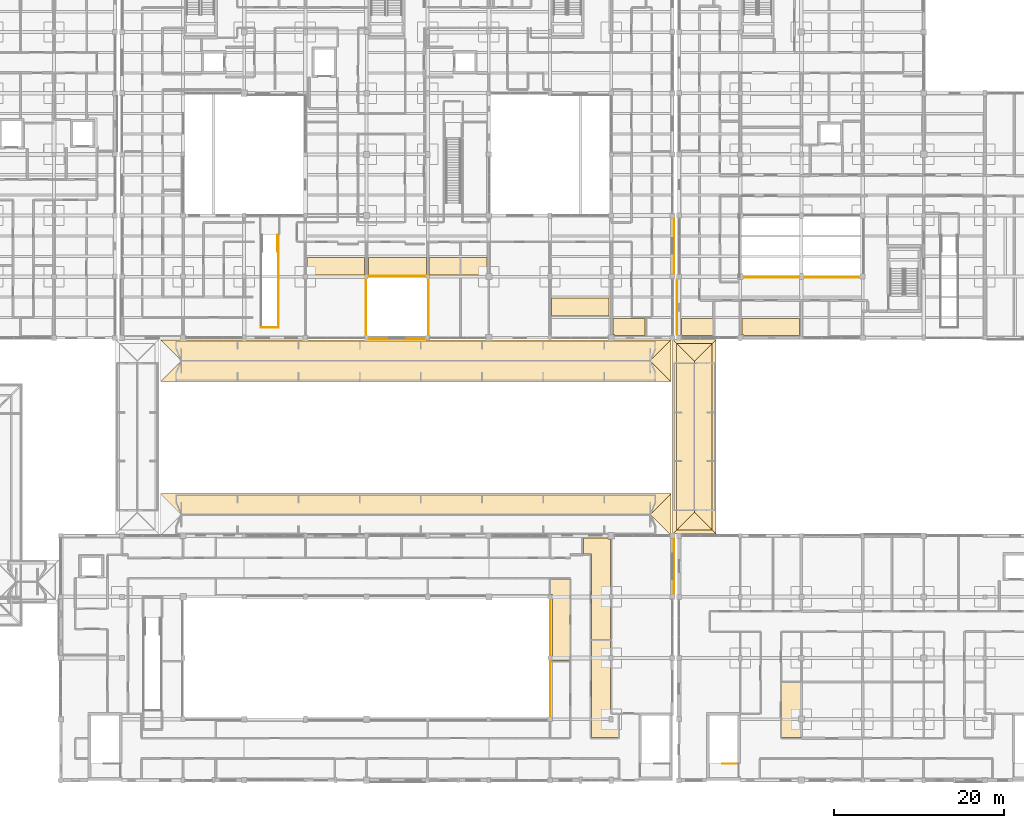
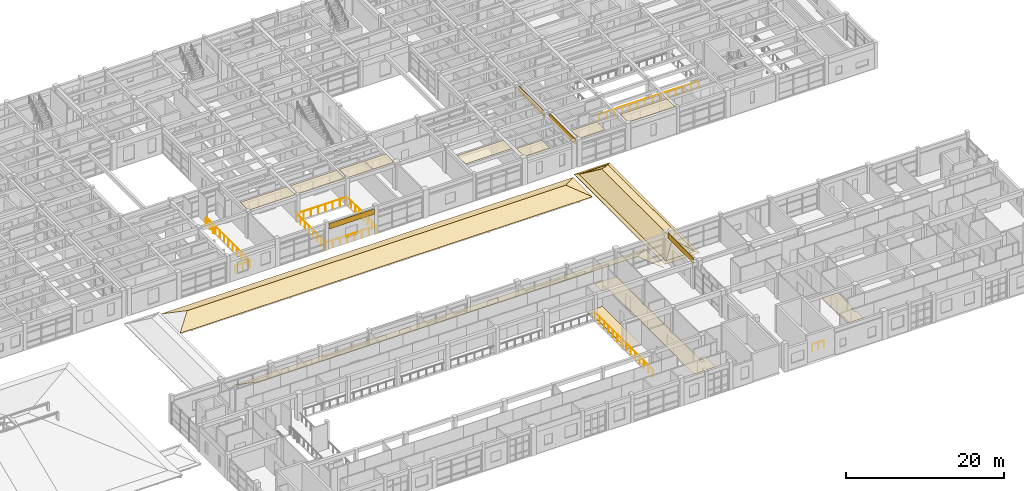
# One storey, part 102 of 110: 29 coverings, 10 railings.
"""IFC4 building model written with IfcOpenShell, lengths in metres."""

from ifc_helpers import new_model, si_unit, direction, frame, origin, origin_2d, place, context, subcontext, project, spatial, polyline, rectangle, circle, outline, extrude, material, layer, layer_set, type_object, element, save


model = new_model("IFC4")

# Units and contexts
model_context = context("Model", 3, precision=1e-05, world=origin(), true_north=direction((0.0, 1.0)))
body_context = subcontext(model_context, "Body", "Model", "MODEL_VIEW")
ifc_project = project(units=[si_unit("LENGTHUNIT", "METRE"), si_unit("AREAUNIT", "SQUARE_METRE"), si_unit("VOLUMEUNIT", "CUBIC_METRE"), si_unit("PLANEANGLEUNIT", "RADIAN"), si_unit("MASSUNIT", "GRAM", prefix="KILO")], contexts=[model_context])

# Site, building, storey
site_placement = place(None, origin())
site = spatial("IfcSite", under=ifc_project, at=site_placement, CompositionType="ELEMENT")
building_placement = place(site_placement, origin())
building = spatial("IfcBuilding", under=site, at=building_placement, Name="Steenspoor Specialist Clinic", CompositionType="ELEMENT")
storey_placement = place(building_placement, frame((0.0, 0.0, 4.800048828125)))
storey = spatial("IfcBuildingStorey", under=building, at=storey_placement, Name="L01", CompositionType="ELEMENT", Elevation=4.800048828125)

# Coverings
ifc_material_1 = material(Name="Washable acoustic mineral ceiling board", Category="gypsum")
ifc_layer_1 = layer(ifc_material_1, 0.02490234375)
ifc_layer_set_1 = layer_set([ifc_layer_1], Name="Washable acoustic mineral ceiling board")
covering_type_1 = type_object("IfcCoveringType", Name="COV-CEIL-ACOUSTIC", PredefinedType="CEILING", material=ifc_layer_set_1)
covering_1_placement = place(storey_placement, frame((0.0, 0.0, 3.925048828125)))
element("IfcCovering", 1, at=covering_1_placement, inside=storey, type_object=covering_type_1, Name="Acoustic Clinical Ceiling 098", PredefinedType="CEILING", context=body_context, shape_type="SweptSolid", body=[
    extrude(outline(polyline([(80.93505859375, 72.614990234375), (80.93505859375, 72.570068359375), (74.2900390625, 72.570068359375), (74.2900390625, 72.639892578125), (74.169921875, 72.639892578125), (74.169921875, 74.610107421875), (80.97998046875, 74.610107421875), (80.97998046875, 72.6201171875), (80.985107421875, 72.6201171875), (80.985107421875, 72.614990234375), (80.93505859375, 72.614990234375)])), origin(), (0.0, 0.0, 1.0), 0.02490234375),
])
covering_2_placement = place(storey_placement, frame((0.0, 0.0, 3.925048828125)))
element("IfcCovering", 2, at=covering_2_placement, inside=storey, type_object=covering_type_1, Name="Acoustic Clinical Ceiling 099", PredefinedType="CEILING", context=body_context, shape_type="SweptSolid", body=[
    extrude(outline(polyline([(88.6650390625, 72.614990234375), (88.570068359375, 72.614990234375), (88.570068359375, 74.610107421875), (92.18505859375, 74.610107421875), (92.18505859375, 72.52001953125), (88.6650390625, 72.52001953125), (88.6650390625, 72.614990234375)])), origin(), (0.0, 0.0, 1.0), 0.02490234375),
])
covering_3_placement = place(storey_placement, frame((0.0, 0.0, 3.925048828125)))
element("IfcCovering", 3, at=covering_3_placement, inside=storey, type_object=covering_type_1, Name="Acoustic Clinical Ceiling 100", PredefinedType="CEILING", context=body_context, shape_type="SweptSolid", body=[
    extrude(outline(polyline([(92.31494140625, 74.610107421875), (95.3798828125, 74.610107421875), (95.3798828125, 72.715087890625), (95.235107421875, 72.715087890625), (95.235107421875, 72.52001953125), (92.31494140625, 72.52001953125), (92.31494140625, 74.610107421875)])), origin(), (0.0, 0.0, 1.0), 0.02490234375),
])
covering_4_placement = place(storey_placement, frame((0.0, 0.0, 3.925048828125)))
element("IfcCovering", 4, at=covering_4_placement, inside=storey, type_object=covering_type_1, Name="Acoustic Clinical Ceiling 101", PredefinedType="CEILING", context=body_context, shape_type="SweptSolid", body=[
    extrude(outline(polyline([(102.9951171875, 69.81005859375), (109.7548828125, 69.81005859375), (109.7548828125, 67.699951171875), (102.9951171875, 67.699951171875), (102.9951171875, 69.81005859375)])), origin(), (0.0, 0.0, 1.0), 0.02490234375),
])
covering_5_placement = place(storey_placement, frame((0.0, 0.0, 3.925048828125)))
element("IfcCovering", 5, at=covering_5_placement, inside=storey, type_object=covering_type_1, Name="Acoustic Clinical Ceiling 102", PredefinedType="CEILING", context=body_context, shape_type="SweptSolid", body=[
    extrude(outline(polyline([(110.364990234375, 65.409912109375), (110.364990234375, 65.514892578125), (110.2451171875, 65.514892578125), (110.2451171875, 67.409912109375), (113.985107421875, 67.409912109375), (113.985107421875, 65.409912109375), (110.364990234375, 65.409912109375)])), origin(), (0.0, 0.0, 1.0), 0.02490234375),
])
covering_6_placement = place(storey_placement, frame((0.0, 0.0, 3.925048828125)))
element("IfcCovering", 6, at=covering_6_placement, inside=storey, type_object=covering_type_1, Name="Acoustic Clinical Ceiling 103", PredefinedType="CEILING", context=body_context, shape_type="SweptSolid", body=[
    extrude(outline(polyline([(81.419921875, 72.635009765625), (81.419921875, 74.60009765625), (88.22998046875, 74.60009765625), (88.22998046875, 72.635009765625), (81.419921875, 72.635009765625)])), origin(), (0.0, 0.0, 1.0), 0.02490234375),
])
covering_7_placement = place(storey_placement, frame((0.0, 0.0, 3.925048828125)))
element("IfcCovering", 7, at=covering_7_placement, inside=storey, type_object=covering_type_1, Name="Acoustic Clinical Ceiling 122", PredefinedType="CEILING", context=body_context, shape_type="SweptSolid", body=[
    extrude(outline(polyline([(118.260009765625, 67.409912109375), (122.014892578125, 67.409912109375), (122.014892578125, 65.409912109375), (118.31494140625, 65.409912109375), (118.31494140625, 65.465087890625), (118.260009765625, 65.465087890625), (118.260009765625, 67.409912109375)])), origin(), (0.0, 0.0, 1.0), 0.02490234375),
])
covering_8_placement = place(storey_placement, frame((0.0, 0.0, 3.925048828125)))
element("IfcCovering", 8, at=covering_8_placement, inside=storey, type_object=covering_type_1, Name="Acoustic Clinical Ceiling 123", PredefinedType="CEILING", context=body_context, shape_type="SweptSolid", body=[
    extrude(outline(polyline([(125.56494140625, 65.409912109375), (125.56494140625, 65.514892578125), (125.39501953125, 65.514892578125), (125.39501953125, 67.39990234375), (132.179931640625, 67.39990234375), (132.179931640625, 65.409912109375), (125.56494140625, 65.409912109375)])), origin(), (0.0, 0.0, 1.0), 0.02490234375),
])
ifc_material_2 = material(Name="Glazed ceramic relief spandrel cladding", Category="masonry")
ifc_layer_2 = layer(ifc_material_2, 0.034912109375)
ifc_layer_set_2 = layer_set([ifc_layer_2], Name="Glazed ceramic relief spandrel cladding")
covering_type_2 = type_object("IfcCoveringType", Name="COV-CLAD-CERAMIC", PredefinedType="CLADDING", material=ifc_layer_set_2)
covering_9_placement = place(storey_placement, frame((117.39990234375, 38.25, 3.36474609375), z_axis=(0.0, 0.0, 1.0), x_axis=(0.0, -1.0, 0.0)))
element("IfcCovering", 9, at=covering_9_placement, inside=storey, type_object=covering_type_2, Name="Spandrel Cladding 9", PredefinedType="CLADDING", context=body_context, shape_type="SweptSolid", body=[
    extrude(rectangle(XDim=6.47998046875, YDim=0.0400390625, at=origin_2d()), origin(), (0.0, 0.0, 1.0), 0.840087890625),
])
covering_10_placement = place(storey_placement, frame((84.78759765625, 64.919921875, 3.11474609375), z_axis=(0.0, 0.0, 1.0), x_axis=(-1.0, 0.0, 0.0)))
element("IfcCovering", 10, at=covering_10_placement, inside=storey, type_object=covering_type_2, Name="Spandrel Cladding 31", PredefinedType="CLADDING", context=body_context, shape_type="SweptSolid", body=[
    extrude(rectangle(XDim=6.60498046875, YDim=0.0400390625, at=origin_2d()), origin(), (0.0, 0.0, 1.0), 0.840087890625),
])
for number, where, z_axis, x_axis, name in (
    (11, (117.39990234375, 75.949951171875, 3.11474609375), (0.0, 0.0, 1.0), (0.0, -1.0, 0.0), "Spandrel Cladding 37"),
    (12, (117.77001953125, 68.75, 3.11474609375), (0.0, 0.0, 1.0), (0.0, 1.0, 0.0), "Spandrel Cladding 85"),
):
    element("IfcCovering", number, at=place(storey_placement, frame(where, z_axis=z_axis, x_axis=x_axis)), inside=storey, type_object=covering_type_2, Name=name, PredefinedType="CLADDING", context=body_context, shape_type="SweptSolid", body=[
        extrude(rectangle(XDim=6.47998046875, YDim=0.0400390625, at=origin_2d()), origin(), (0.0, 0.0, 1.0), 0.840087890625),
    ])
ifc_material_3 = material(Name="Seamless clinical vinyl and terrazzo flooring", Category="plastic")
ifc_layer_3 = layer(ifc_material_3, 0.02001953125)
ifc_layer_set_3 = layer_set([ifc_layer_3], Name="Seamless clinical vinyl and terrazzo flooring")
covering_type_3 = type_object("IfcCoveringType", Name="COV-FLOOR-VINYL", PredefinedType="FLOORING", material=ifc_layer_set_3)
covering_11_placement = place(storey_placement, origin())
element("IfcCovering", 13, at=covering_11_placement, inside=storey, type_object=covering_type_3, Name="Clinical Vinyl Flooring 142", PredefinedType="FLOORING", context=body_context, shape_type="SweptSolid", body=[
    extrude(outline(polyline([(109.93505859375, 29.4951171875), (109.93505859375, 27.764892578125), (109.760009765625, 27.764892578125), (109.760009765625, 27.135009765625), (109.93505859375, 27.135009765625), (109.93505859375, 20.8349609375), (110.8349609375, 20.8349609375), (110.8349609375, 18.074951171875), (107.6650390625, 18.074951171875), (107.6650390625, 29.4951171875), (109.93505859375, 29.4951171875)]), holes=[polyline([(110.239990234375, 20.590087890625), (109.760009765625, 20.590087890625), (109.760009765625, 19.909912109375), (110.239990234375, 19.909912109375), (110.239990234375, 20.590087890625)])]), origin(), (0.0, 0.0, 1.0), 0.02001953125),
])
covering_12_placement = place(storey_placement, origin())
element("IfcCovering", 14, at=covering_12_placement, inside=storey, type_object=covering_type_3, Name="Clinical Vinyl Flooring 143", PredefinedType="FLOORING", context=body_context, shape_type="SweptSolid", body=[
    extrude(outline(polyline([(105.135009765625, 27.14501953125), (103.06494140625, 27.14501953125), (103.06494140625, 27.18505859375), (103.06494140625, 27.715087890625), (103.06494140625, 34.9150390625), (102.864990234375, 34.9150390625), (102.864990234375, 36.784912109375), (105.135009765625, 36.784912109375), (105.135009765625, 27.14501953125)])), origin(), (0.0, 0.0, 1.0), 0.02001953125),
])
covering_13_placement = place(storey_placement, origin())
element("IfcCovering", 15, at=covering_13_placement, inside=storey, type_object=covering_type_3, Name="Clinical Vinyl Flooring 145", PredefinedType="FLOORING", context=body_context, shape_type="SweptSolid", body=[
    extrude(outline(polyline([(107.6650390625, 29.625), (107.6650390625, 39.675048828125), (106.715087890625, 39.675048828125), (106.715087890625, 41.590087890625), (109.610107421875, 41.590087890625), (109.610107421875, 41.4599609375), (109.93505859375, 41.4599609375), (109.93505859375, 34.93994140625), (109.784912109375, 34.93994140625), (109.784912109375, 34.360107421875), (109.93505859375, 34.360107421875), (109.93505859375, 29.625), (107.6650390625, 29.625)])), origin(), (0.0, 0.0, 1.0), 0.02001953125),
])
covering_14_placement = place(storey_placement, origin())
element("IfcCovering", 16, at=covering_14_placement, inside=storey, type_object=covering_type_3, Name="Clinical Vinyl Flooring 156", PredefinedType="FLOORING", context=body_context, shape_type="SweptSolid", body=[
    extrude(outline(polyline([(130.06494140625, 18.074951171875), (130.06494140625, 24.56494140625), (132.3349609375, 24.56494140625), (132.3349609375, 20.614990234375), (132.034912109375, 20.614990234375), (132.034912109375, 19.885009765625), (132.3349609375, 19.885009765625), (132.3349609375, 18.074951171875), (130.06494140625, 18.074951171875)])), origin(), (0.0, 0.0, 1.0), 0.02001953125),
])
ifc_material_4 = material(Name="Extruded terracotta clay roof tile", Category="masonry")
ifc_layer_4 = layer(ifc_material_4, 0.044921875)
ifc_layer_set_4 = layer_set([ifc_layer_4], Name="Extruded terracotta clay roof tile")
covering_type_4 = type_object("IfcCoveringType", Name="COV-ROOF-TILE", PredefinedType="ROOFING", material=ifc_layer_set_4)
covering_15_placement = place(storey_placement, frame((117.25, 42.050048828125, -0.9521484375), z_axis=(0.0, -0.242164000082, 0.970235330765), x_axis=(1.0, 0.0, 0.0)))
element("IfcCovering", 17, at=covering_15_placement, inside=storey, type_object=covering_type_4, Name="Clay Tile Roofing WK2 SKS", PredefinedType="ROOFING", context=body_context, shape_type="SweptSolid", body=[
    extrude(outline(polyline([(0.0, 0.0), (5.10009765625, 0.0), (4.64990234375, 0.46375467642511), (0.449951171875, 0.46375467642511), (0.0, 0.0)])), origin(), (0.0, 0.0, -1.0), 0.044921875),
])
covering_16_placement = place(storey_placement, frame((122.35009765625, 64.949951171875, -0.9521484375), z_axis=(0.0, 0.242164000082, 0.970235330765), x_axis=(-1.0, 0.0, 0.0)))
element("IfcCovering", 18, at=covering_16_placement, inside=storey, type_object=covering_type_4, Name="Clay Tile Roofing WK2 SKN", PredefinedType="ROOFING", context=body_context, shape_type="SweptSolid", body=[
    extrude(outline(polyline([(0.0, 0.0), (5.10009765625, 0.0), (4.650146484375, 0.46375467642511), (0.4501953125, 0.46375467642511), (0.0, 0.0)])), origin(), (0.0, 0.0, -1.0), 0.044921875),
])
covering_17_placement = place(storey_placement, frame((117.25, 64.949951171875, -0.9521484375), z_axis=(-0.242164000082, 0.0, 0.970235330765), x_axis=(0.0, -1.0, 0.0)))
element("IfcCovering", 19, at=covering_17_placement, inside=storey, type_object=covering_type_4, Name="Clay Tile Roofing WK2 SKW", PredefinedType="ROOFING", context=body_context, shape_type="SweptSolid", body=[
    extrude(outline(polyline([(0.0, 0.0), (22.89990234375, 0.0), (22.449951171875, 0.46375467642511), (0.449951171875, 0.46375467642511), (0.0, 0.0)])), origin(), (0.0, 0.0, -1.0), 0.044921875),
])
covering_18_placement = place(storey_placement, frame((122.35009765625, 42.050048828125, -0.9521484375), z_axis=(0.242040370173, 0.0, 0.970266179564), x_axis=(0.0, 1.0, 0.0)))
element("IfcCovering", 20, at=covering_18_placement, inside=storey, type_object=covering_type_4, Name="Clay Tile Roofing WK2 SKE", PredefinedType="ROOFING", context=body_context, shape_type="SweptSolid", body=[
    extrude(outline(polyline([(0.0, 0.0), (22.89990234375, 0.0), (22.449951171875, 0.463991554051844), (0.449951171875, 0.463991554051844), (0.0, 0.0)])), origin(), (0.0, 0.0, -1.0), 0.044921875),
])
covering_19_placement = place(storey_placement, frame((117.699951171875, 64.5, -0.83984375), z_axis=(-0.537294141772, 0.0, 0.84339492838), x_axis=(0.0, -1.0, 0.0)))
element("IfcCovering", 21, at=covering_19_placement, inside=storey, type_object=covering_type_4, Name="Clay Tile Roofing WK2 W", PredefinedType="ROOFING", context=body_context, shape_type="SweptSolid", body=[
    extrude(outline(polyline([(0.0, 0.0), (22.0, 0.0), (19.89990234375, 2.490052507528633), (2.10009765625, 2.490052507528633), (0.0, 0.0)])), origin(), (0.0, 0.0, -1.0), 0.044921875),
])
covering_20_placement = place(storey_placement, frame((121.89990234375, 42.5, -0.83984375), z_axis=(0.537338574529, 0.0, 0.843366620351), x_axis=(0.0, 1.0, 0.0)))
element("IfcCovering", 22, at=covering_20_placement, inside=storey, type_object=covering_type_4, Name="Clay Tile Roofing WK2 E", PredefinedType="ROOFING", context=body_context, shape_type="SweptSolid", body=[
    extrude(outline(polyline([(0.0, 0.0), (22.0, 0.0), (19.89990234375, 2.4898466040191236), (2.10009765625, 2.4898466040191236), (0.0, 0.0)])), origin(), (0.0, 0.0, -1.0), 0.044921875),
])
covering_21_placement = place(storey_placement, frame((117.699951171875, 42.5, -0.83984375), z_axis=(0.0, -0.537294141772, 0.84339492838), x_axis=(1.0, 0.0, 0.0)))
element("IfcCovering", 23, at=covering_21_placement, inside=storey, type_object=covering_type_4, Name="Clay Tile Roofing WK2 S", PredefinedType="ROOFING", context=body_context, shape_type="SweptSolid", body=[
    extrude(outline(polyline([(0.0, 0.0), (4.199951171875, 0.0), (2.10009765625, 2.490052507528633), (0.0, 0.0)])), origin(), (0.0, 0.0, -1.0), 0.044921875),
])
covering_22_placement = place(storey_placement, frame((121.89990234375, 64.5, -0.83984375), z_axis=(0.0, 0.537294141772, 0.84339492838), x_axis=(-1.0, 0.0, 0.0)))
element("IfcCovering", 24, at=covering_22_placement, inside=storey, type_object=covering_type_4, Name="Clay Tile Roofing WK2 N", PredefinedType="ROOFING", context=body_context, shape_type="SweptSolid", body=[
    extrude(outline(polyline([(0.0, 0.0), (4.199951171875, 0.0), (2.099853515625, 2.490052507528633), (0.0, 0.0)])), origin(), (0.0, 0.0, -1.0), 0.044921875),
])
for number, where, z_axis, x_axis, name in (
    (25, (56.949951171875, 60.0, -1.35205078125), (0.0, -0.424884507655, 0.905247565672), (1.0, 0.0, 0.0), "Clay Tile Roofing WK4 S"),
    (26, (117.050048828125, 64.89990234375, -1.35205078125), (0.0, 0.424884507655, 0.905247565672), (-1.0, 0.0, 0.0), "Clay Tile Roofing WK4 N"),
):
    element("IfcCovering", number, at=place(storey_placement, frame(where, z_axis=z_axis, x_axis=x_axis)), inside=storey, type_object=covering_type_4, Name=name, PredefinedType="ROOFING", context=body_context, shape_type="SweptSolid", body=[
        extrude(outline(polyline([(0.0, 0.0), (60.10009765625, 0.0), (57.650146484375, 2.7063880255302317), (2.449951171875, 2.7063880255302317), (0.0, 0.0)])), origin(), (0.0, 0.0, -1.0), 0.044921875),
    ])
covering_23_placement = place(storey_placement, frame((117.050048828125, 60.0, -1.35205078125), z_axis=(0.424884507655, 0.0, 0.905247565672), x_axis=(0.0, 1.0, 0.0)))
element("IfcCovering", 27, at=covering_23_placement, inside=storey, type_object=covering_type_4, Name="Clay Tile Roofing WK4 E", PredefinedType="ROOFING", context=body_context, shape_type="SweptSolid", body=[
    extrude(outline(polyline([(0.0, 0.0), (4.89990234375, 0.0), (2.449951171875, 2.7063880255302326), (0.0, 0.0)])), origin(), (0.0, 0.0, -1.0), 0.044921875),
])
covering_24_placement = place(storey_placement, frame((117.050048828125, 46.800048828125, -1.35205078125), z_axis=(0.0, 0.424884507655, 0.905247565672), x_axis=(-1.0, 0.0, 0.0)))
element("IfcCovering", 28, at=covering_24_placement, inside=storey, type_object=covering_type_4, Name="Clay Tile Roofing WK5 N", PredefinedType="ROOFING", context=body_context, shape_type="SweptSolid", body=[
    extrude(outline(polyline([(0.0, 0.0), (60.10009765625, 0.0), (57.650146484375, 2.7063880255302317), (2.449951171875, 2.7063880255302317), (0.0, 0.0)])), origin(), (0.0, 0.0, -1.0), 0.044921875),
])
covering_25_placement = place(storey_placement, frame((117.050048828125, 41.89990234375, -1.35205078125), z_axis=(0.424884507655, 0.0, 0.905247565672), x_axis=(0.0, 1.0, 0.0)))
element("IfcCovering", 29, at=covering_25_placement, inside=storey, type_object=covering_type_4, Name="Clay Tile Roofing WK5 E", PredefinedType="ROOFING", context=body_context, shape_type="SweptSolid", body=[
    extrude(outline(polyline([(0.0, 0.0), (4.900146484375, 0.0), (2.4501953125, 2.706388025530232), (0.0, 0.0)])), origin(), (0.0, 0.0, -1.0), 0.044921875),
])

# Railings
ifc_material_5 = material(Name="Painted architectural steel balustrade", Category="steel")
railing_type = type_object("IfcRailingType", Name="RAIL-GUARD-1100", PredefinedType="GUARDRAIL", material=ifc_material_5)
railing_1_placement = place(storey_placement, frame((124.85009765625, 15.0, 0.0)))
element("IfcRailing", 30, at=railing_1_placement, inside=storey, type_object=railing_type, Name="L01 ST-V2A top well guard 1", PredefinedType="GUARDRAIL", context=body_context, shape_type="SweptSolid", body=[
    extrude(circle(Radius=0.02392578125, at=origin_2d()), frame((0.0, 0.0, 1.076171875), z_axis=(-1.0, 0.0, 0.0), x_axis=(0.0, -1.0, 0.0)), (0.0, 0.0, 1.0), 1.75),
    extrude(circle(Radius=0.02099609375, at=origin_2d()), origin(), (0.0, 0.0, 1.0), 1.052001953125),
    extrude(circle(Radius=0.02099609375, at=origin_2d()), frame((-0.875, 0.0, 0.0)), (0.0, 0.0, 1.0), 1.052001953125),
    extrude(circle(Radius=0.02099609375, at=origin_2d()), frame((-1.75, 0.0, 0.0)), (0.0, 0.0, 1.0), 1.052001953125),
])
railing_2_placement = place(storey_placement, frame((68.7548828125, 66.3798828125, 0.0)))
element("IfcRailing", 31, at=railing_2_placement, inside=storey, type_object=railing_type, Name="ST-F02 Well Guard S", PredefinedType="GUARDRAIL", context=body_context, shape_type="SweptSolid", body=[
    extrude(circle(Radius=0.02392578125, at=origin_2d()), frame((0.0, 0.0, 1.09619140625), z_axis=(1.0, 0.0, 0.0), x_axis=(0.0, 1.0, 0.0)), (0.0, 0.0, 1.0), 2.090087890625),
    extrude(circle(Radius=0.02099609375, at=origin_2d()), origin(), (0.0, 0.0, 1.0), 1.072021484375),
    extrude(circle(Radius=0.02099609375, at=origin_2d()), frame((1.044921875, 0.0, 0.0)), (0.0, 0.0, 1.0), 1.072021484375),
    extrude(circle(Radius=0.02099609375, at=origin_2d()), frame((2.090087890625, 0.0, 0.0)), (0.0, 0.0, 1.0), 1.072021484375),
])
railing_3_placement = place(storey_placement, frame((70.844970703125, 66.3798828125, 0.0)))
element("IfcRailing", 32, at=railing_3_placement, inside=storey, type_object=railing_type, Name="ST-F02 Well Guard E", PredefinedType="GUARDRAIL", context=body_context, shape_type="SweptSolid", body=[
    extrude(circle(Radius=0.02392578125, at=origin_2d()), frame((0.0, 0.0, 1.09619140625), z_axis=(0.0, 1.0, 0.0), x_axis=(-1.0, 0.0, 0.0)), (0.0, 0.0, 1.0), 10.880126953125),
    extrude(circle(Radius=0.02099609375, at=origin_2d()), origin(), (0.0, 0.0, 1.0), 1.072021484375),
    extrude(circle(Radius=0.02099609375, at=origin_2d()), frame((0.0, 1.087890625, 0.0)), (0.0, 0.0, 1.0), 1.072021484375),
    extrude(circle(Radius=0.02099609375, at=origin_2d()), frame((0.0, 2.176025390625, 0.0)), (0.0, 0.0, 1.0), 1.072021484375),
    extrude(circle(Radius=0.02099609375, at=origin_2d()), frame((0.0, 3.26416015625, 0.0)), (0.0, 0.0, 1.0), 1.072021484375),
    extrude(circle(Radius=0.02099609375, at=origin_2d()), frame((0.0, 4.35205078125, 0.0)), (0.0, 0.0, 1.0), 1.072021484375),
    extrude(circle(Radius=0.02099609375, at=origin_2d()), frame((0.0, 5.43994140625, 0.0)), (0.0, 0.0, 1.0), 1.072021484375),
    extrude(circle(Radius=0.02099609375, at=origin_2d()), frame((0.0, 6.528076171875, 0.0)), (0.0, 0.0, 1.0), 1.072021484375),
    extrude(circle(Radius=0.02099609375, at=origin_2d()), frame((0.0, 7.615966796875, 0.0)), (0.0, 0.0, 1.0), 1.072021484375),
    extrude(circle(Radius=0.02099609375, at=origin_2d()), frame((0.0, 8.7041015625, 0.0)), (0.0, 0.0, 1.0), 1.072021484375),
    extrude(circle(Radius=0.02099609375, at=origin_2d()), frame((0.0, 9.7919921875, 0.0)), (0.0, 0.0, 1.0), 1.072021484375),
    extrude(circle(Radius=0.02099609375, at=origin_2d()), frame((0.0, 10.880126953125, 0.0)), (0.0, 0.0, 1.0), 1.072021484375),
])
railing_4_placement = place(storey_placement, frame((70.68505859375, 75.300048828125, 0.0)))
element("IfcRailing", 33, at=railing_4_placement, inside=storey, type_object=railing_type, Name="ST-F02 Well Guard LE", PredefinedType="GUARDRAIL", context=body_context, shape_type="SweptSolid", body=[
    extrude(circle(Radius=0.02392578125, at=origin_2d()), frame((0.0, 0.0, 1.09619140625), z_axis=(0.0, 1.0, 0.0), x_axis=(-1.0, 0.0, 0.0)), (0.0, 0.0, 1.0), 1.9599609375),
    extrude(circle(Radius=0.02099609375, at=origin_2d()), origin(), (0.0, 0.0, 1.0), 1.072021484375),
    extrude(circle(Radius=0.02099609375, at=origin_2d()), frame((0.0, 0.97998046875, 0.0)), (0.0, 0.0, 1.0), 1.072021484375),
    extrude(circle(Radius=0.02099609375, at=origin_2d()), frame((0.0, 1.9599609375, 0.0)), (0.0, 0.0, 1.0), 1.072021484375),
])
railing_5_placement = place(storey_placement, frame((102.8798828125, 20.169921875, 0.0)))
element("IfcRailing", 34, at=railing_5_placement, inside=storey, type_object=railing_type, Name="Atrium Gallery Guard V1 L01 2", PredefinedType="GUARDRAIL", context=body_context, shape_type="SweptSolid", body=[
    extrude(circle(Radius=0.02392578125, at=origin_2d()), frame((0.0, 0.0, 1.09619140625), z_axis=(0.0, 1.0, 0.0), x_axis=(-1.0, 0.0, 0.0)), (0.0, 0.0, 1.0), 14.56005859375),
    extrude(circle(Radius=0.02099609375, at=origin_2d()), origin(), (0.0, 0.0, 1.0), 1.072021484375),
    extrude(circle(Radius=0.02099609375, at=origin_2d()), frame((0.0, 1.1201171875, 0.0)), (0.0, 0.0, 1.0), 1.072021484375),
    extrude(circle(Radius=0.02099609375, at=origin_2d()), frame((0.0, 2.239990234375, 0.0)), (0.0, 0.0, 1.0), 1.072021484375),
    extrude(circle(Radius=0.02099609375, at=origin_2d()), frame((0.0, 3.360107421875, 0.0)), (0.0, 0.0, 1.0), 1.072021484375),
    extrude(circle(Radius=0.02099609375, at=origin_2d()), frame((0.0, 4.47998046875, 0.0)), (0.0, 0.0, 1.0), 1.072021484375),
    extrude(circle(Radius=0.02099609375, at=origin_2d()), frame((0.0, 5.60009765625, 0.0)), (0.0, 0.0, 1.0), 1.072021484375),
    extrude(circle(Radius=0.02099609375, at=origin_2d()), frame((0.0, 6.719970703125, 0.0)), (0.0, 0.0, 1.0), 1.072021484375),
    extrude(circle(Radius=0.02099609375, at=origin_2d()), frame((0.0, 7.840087890625, 0.0)), (0.0, 0.0, 1.0), 1.072021484375),
    extrude(circle(Radius=0.02099609375, at=origin_2d()), frame((0.0, 8.9599609375, 0.0)), (0.0, 0.0, 1.0), 1.072021484375),
    extrude(circle(Radius=0.02099609375, at=origin_2d()), frame((0.0, 10.080078125, 0.0)), (0.0, 0.0, 1.0), 1.072021484375),
    extrude(circle(Radius=0.02099609375, at=origin_2d()), frame((0.0, 11.199951171875, 0.0)), (0.0, 0.0, 1.0), 1.072021484375),
    extrude(circle(Radius=0.02099609375, at=origin_2d()), frame((0.0, 12.320068359375, 0.0)), (0.0, 0.0, 1.0), 1.072021484375),
    extrude(circle(Radius=0.02099609375, at=origin_2d()), frame((0.0, 13.43994140625, 0.0)), (0.0, 0.0, 1.0), 1.072021484375),
    extrude(circle(Radius=0.02099609375, at=origin_2d()), frame((0.0, 14.56005859375, 0.0)), (0.0, 0.0, 1.0), 1.072021484375),
])
railing_6_placement = place(storey_placement, frame((81.1201171875, 65.070068359375, 0.0)))
element("IfcRailing", 35, at=railing_6_placement, inside=storey, type_object=railing_type, Name="Atrium Gallery Guard V4 L01 1", PredefinedType="GUARDRAIL", context=body_context, shape_type="SweptSolid", body=[
    extrude(circle(Radius=0.02392578125, at=origin_2d()), frame((0.0, 0.0, 1.09619140625), z_axis=(1.0, 0.0, 0.0), x_axis=(0.0, 1.0, 0.0)), (0.0, 0.0, 1.0), 7.35986328125),
    extrude(circle(Radius=0.02099609375, at=origin_2d()), origin(), (0.0, 0.0, 1.0), 1.072021484375),
    extrude(circle(Radius=0.02099609375, at=origin_2d()), frame((1.051513671875, 0.0, 0.0)), (0.0, 0.0, 1.0), 1.072021484375),
    extrude(circle(Radius=0.02099609375, at=origin_2d()), frame((2.102783203125, 0.0, 0.0)), (0.0, 0.0, 1.0), 1.072021484375),
    extrude(circle(Radius=0.02099609375, at=origin_2d()), frame((3.154296875, 0.0, 0.0)), (0.0, 0.0, 1.0), 1.072021484375),
    extrude(circle(Radius=0.02099609375, at=origin_2d()), frame((4.20556640625, 0.0, 0.0)), (0.0, 0.0, 1.0), 1.072021484375),
    extrude(circle(Radius=0.02099609375, at=origin_2d()), frame((5.257080078125, 0.0, 0.0)), (0.0, 0.0, 1.0), 1.072021484375),
    extrude(circle(Radius=0.02099609375, at=origin_2d()), frame((6.308349609375, 0.0, 0.0)), (0.0, 0.0, 1.0), 1.072021484375),
    extrude(circle(Radius=0.02099609375, at=origin_2d()), frame((7.35986328125, 0.0, 0.0)), (0.0, 0.0, 1.0), 1.072021484375),
])
railing_7_placement = place(storey_placement, frame((88.47998046875, 65.070068359375, 0.0)))
element("IfcRailing", 36, at=railing_7_placement, inside=storey, type_object=railing_type, Name="Atrium Gallery Guard V4 L01 2", PredefinedType="GUARDRAIL", context=body_context, shape_type="SweptSolid", body=[
    extrude(circle(Radius=0.02392578125, at=origin_2d()), frame((0.0, 0.0, 1.09619140625), z_axis=(0.0, 1.0, 0.0), x_axis=(-1.0, 0.0, 0.0)), (0.0, 0.0, 1.0), 7.35986328125),
    extrude(circle(Radius=0.02099609375, at=origin_2d()), origin(), (0.0, 0.0, 1.0), 1.072021484375),
    extrude(circle(Radius=0.02099609375, at=origin_2d()), frame((0.0, 1.051513671875, 0.0)), (0.0, 0.0, 1.0), 1.072021484375),
    extrude(circle(Radius=0.02099609375, at=origin_2d()), frame((0.0, 2.102783203125, 0.0)), (0.0, 0.0, 1.0), 1.072021484375),
    extrude(circle(Radius=0.02099609375, at=origin_2d()), frame((0.0, 3.154296875, 0.0)), (0.0, 0.0, 1.0), 1.072021484375),
    extrude(circle(Radius=0.02099609375, at=origin_2d()), frame((0.0, 4.20556640625, 0.0)), (0.0, 0.0, 1.0), 1.072021484375),
    extrude(circle(Radius=0.02099609375, at=origin_2d()), frame((0.0, 5.257080078125, 0.0)), (0.0, 0.0, 1.0), 1.072021484375),
    extrude(circle(Radius=0.02099609375, at=origin_2d()), frame((0.0, 6.308349609375, 0.0)), (0.0, 0.0, 1.0), 1.072021484375),
    extrude(circle(Radius=0.02099609375, at=origin_2d()), frame((0.0, 7.35986328125, 0.0)), (0.0, 0.0, 1.0), 1.072021484375),
])
railing_8_placement = place(storey_placement, frame((88.47998046875, 72.429931640625, 0.0)))
element("IfcRailing", 37, at=railing_8_placement, inside=storey, type_object=railing_type, Name="Atrium Gallery Guard V4 L01 3", PredefinedType="GUARDRAIL", context=body_context, shape_type="SweptSolid", body=[
    extrude(circle(Radius=0.02392578125, at=origin_2d()), frame((0.0, 0.0, 1.09619140625), z_axis=(-1.0, 0.0, 0.0), x_axis=(0.0, -1.0, 0.0)), (0.0, 0.0, 1.0), 7.35986328125),
    extrude(circle(Radius=0.02099609375, at=origin_2d()), origin(), (0.0, 0.0, 1.0), 1.072021484375),
    extrude(circle(Radius=0.02099609375, at=origin_2d()), frame((-1.051513671875, 0.0, 0.0)), (0.0, 0.0, 1.0), 1.072021484375),
    extrude(circle(Radius=0.02099609375, at=origin_2d()), frame((-2.102783203125, 0.0, 0.0)), (0.0, 0.0, 1.0), 1.072021484375),
    extrude(circle(Radius=0.02099609375, at=origin_2d()), frame((-3.154296875, 0.0, 0.0)), (0.0, 0.0, 1.0), 1.072021484375),
    extrude(circle(Radius=0.02099609375, at=origin_2d()), frame((-4.20556640625, 0.0, 0.0)), (0.0, 0.0, 1.0), 1.072021484375),
    extrude(circle(Radius=0.02099609375, at=origin_2d()), frame((-5.257080078125, 0.0, 0.0)), (0.0, 0.0, 1.0), 1.072021484375),
    extrude(circle(Radius=0.02099609375, at=origin_2d()), frame((-6.308349609375, 0.0, 0.0)), (0.0, 0.0, 1.0), 1.072021484375),
    extrude(circle(Radius=0.02099609375, at=origin_2d()), frame((-7.35986328125, 0.0, 0.0)), (0.0, 0.0, 1.0), 1.072021484375),
])
railing_9_placement = place(storey_placement, frame((81.1201171875, 72.429931640625, 0.0)))
element("IfcRailing", 38, at=railing_9_placement, inside=storey, type_object=railing_type, Name="Atrium Gallery Guard V4 L01 4", PredefinedType="GUARDRAIL", context=body_context, shape_type="SweptSolid", body=[
    extrude(circle(Radius=0.02392578125, at=origin_2d()), frame((0.0, 0.0, 1.09619140625), z_axis=(0.0, -1.0, 0.0), x_axis=(1.0, 0.0, 0.0)), (0.0, 0.0, 1.0), 7.35986328125),
    extrude(circle(Radius=0.02099609375, at=origin_2d()), origin(), (0.0, 0.0, 1.0), 1.072021484375),
    extrude(circle(Radius=0.02099609375, at=origin_2d()), frame((0.0, -1.051513671875, 0.0)), (0.0, 0.0, 1.0), 1.072021484375),
    extrude(circle(Radius=0.02099609375, at=origin_2d()), frame((0.0, -2.102783203125, 0.0)), (0.0, 0.0, 1.0), 1.072021484375),
    extrude(circle(Radius=0.02099609375, at=origin_2d()), frame((0.0, -3.154296875, 0.0)), (0.0, 0.0, 1.0), 1.072021484375),
    extrude(circle(Radius=0.02099609375, at=origin_2d()), frame((0.0, -4.20556640625, 0.0)), (0.0, 0.0, 1.0), 1.072021484375),
    extrude(circle(Radius=0.02099609375, at=origin_2d()), frame((0.0, -5.257080078125, 0.0)), (0.0, 0.0, 1.0), 1.072021484375),
    extrude(circle(Radius=0.02099609375, at=origin_2d()), frame((0.0, -6.308349609375, 0.0)), (0.0, 0.0, 1.0), 1.072021484375),
    extrude(circle(Radius=0.02099609375, at=origin_2d()), frame((0.0, -7.35986328125, 0.0)), (0.0, 0.0, 1.0), 1.072021484375),
])
railing_10_placement = place(storey_placement, frame((125.1201171875, 72.27001953125, 0.0)))
element("IfcRailing", 39, at=railing_10_placement, inside=storey, type_object=railing_type, Name="Atrium Gallery Guard V6 L01 1", PredefinedType="GUARDRAIL", context=body_context, shape_type="SweptSolid", body=[
    extrude(circle(Radius=0.02392578125, at=origin_2d()), frame((0.0, 0.0, 1.09619140625), z_axis=(1.0, 0.0, 0.0), x_axis=(0.0, 1.0, 0.0)), (0.0, 0.0, 1.0), 14.559814453125),
    extrude(circle(Radius=0.02099609375, at=origin_2d()), origin(), (0.0, 0.0, 1.0), 1.072021484375),
    extrude(circle(Radius=0.02099609375, at=origin_2d()), frame((1.119873046875, 0.0, 0.0)), (0.0, 0.0, 1.0), 1.072021484375),
    extrude(circle(Radius=0.02099609375, at=origin_2d()), frame((2.239990234375, 0.0, 0.0)), (0.0, 0.0, 1.0), 1.072021484375),
    extrude(circle(Radius=0.02099609375, at=origin_2d()), frame((3.35986328125, 0.0, 0.0)), (0.0, 0.0, 1.0), 1.072021484375),
    extrude(circle(Radius=0.02099609375, at=origin_2d()), frame((4.47998046875, 0.0, 0.0)), (0.0, 0.0, 1.0), 1.072021484375),
    extrude(circle(Radius=0.02099609375, at=origin_2d()), frame((5.599853515625, 0.0, 0.0)), (0.0, 0.0, 1.0), 1.072021484375),
    extrude(circle(Radius=0.02099609375, at=origin_2d()), frame((6.719970703125, 0.0, 0.0)), (0.0, 0.0, 1.0), 1.072021484375),
    extrude(circle(Radius=0.02099609375, at=origin_2d()), frame((7.83984375, 0.0, 0.0)), (0.0, 0.0, 1.0), 1.072021484375),
    extrude(circle(Radius=0.02099609375, at=origin_2d()), frame((8.9599609375, 0.0, 0.0)), (0.0, 0.0, 1.0), 1.072021484375),
    extrude(circle(Radius=0.02099609375, at=origin_2d()), frame((10.079833984375, 0.0, 0.0)), (0.0, 0.0, 1.0), 1.072021484375),
    extrude(circle(Radius=0.02099609375, at=origin_2d()), frame((11.199951171875, 0.0, 0.0)), (0.0, 0.0, 1.0), 1.072021484375),
    extrude(circle(Radius=0.02099609375, at=origin_2d()), frame((12.31982421875, 0.0, 0.0)), (0.0, 0.0, 1.0), 1.072021484375),
    extrude(circle(Radius=0.02099609375, at=origin_2d()), frame((13.43994140625, 0.0, 0.0)), (0.0, 0.0, 1.0), 1.072021484375),
    extrude(circle(Radius=0.02099609375, at=origin_2d()), frame((14.559814453125, 0.0, 0.0)), (0.0, 0.0, 1.0), 1.072021484375),
])

save(model, "model.ifc")
